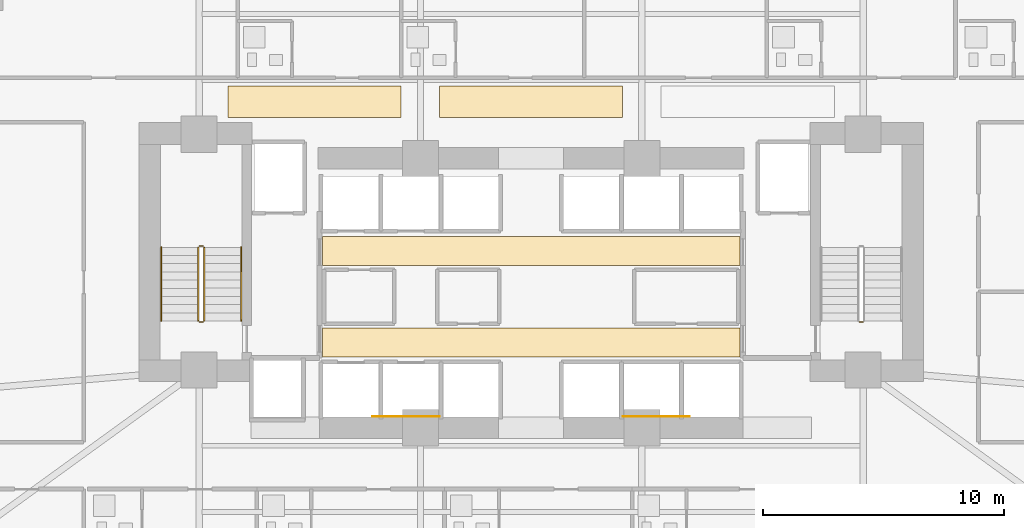
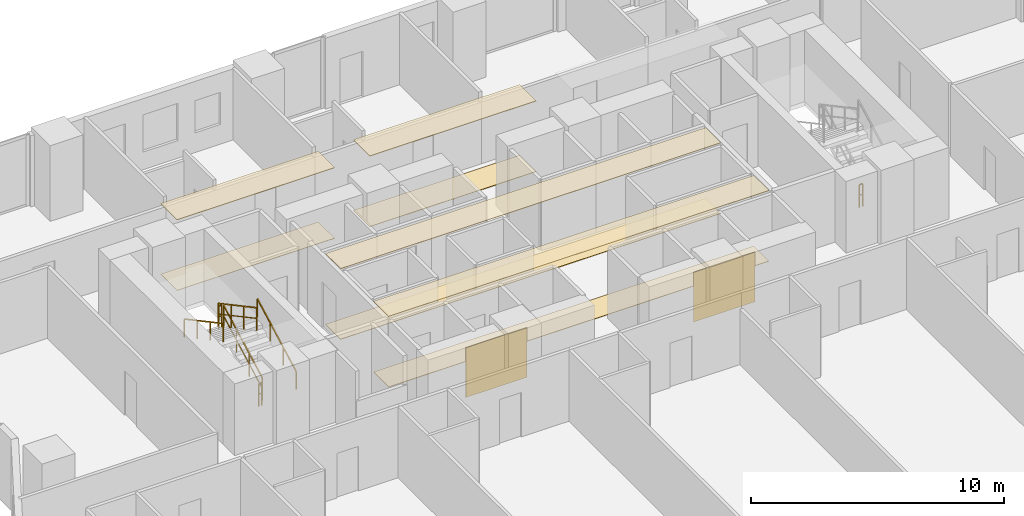
# One storey, part 25 of 28: 10 coverings, 7 railings.
"""IFC4 building model written with IfcOpenShell, lengths in metres."""

import ifcopenshell
import ifcopenshell.guid

model = None  # the IFC model being written
_history = None  # IfcOwnerHistory: only IFC2X3 demands one
_inside = {}  # id of a spatial element -> (the spatial element, [elements in it])
_under = {}  # id of a project, library or spatial element -> (it, [spatial elements below it])
_declared = {}  # id of a project -> (the project, [libraries it declares])
_typed = {}  # id of a type object -> (the type object, [elements of that type])
_made_of = {}  # id of a material, layer set ... -> (it, [elements and type objects made of it])


def new_model(schema):
    """Start an empty IFC model of exactly this schema.

    Asked for "IFC4X3", IfcOpenShell would pick the latest addendum, in which some entities
    have other attributes; the version numbers below select the first issue.
    IFC2X3 requires an IfcOwnerHistory on every rooted entity: one is made here for all.
    """
    global model, _history
    if schema == "IFC4X3":
        model = ifcopenshell.file(schema_version=(4, 3, 0, 0))
    else:
        model = ifcopenshell.file(schema=schema)
    _inside.clear()
    _under.clear()
    _declared.clear()
    _typed.clear()
    _made_of.clear()
    _history = None
    if model.schema == "IFC2X3":
        org = make("IfcOrganization", Name="unknown")
        user = make(
            "IfcPersonAndOrganization",
            ThePerson=make("IfcPerson", FamilyName="unknown"),
            TheOrganization=org,
        )
        app = make(
            "IfcApplication",
            ApplicationDeveloper=org,
            Version="unknown",
            ApplicationFullName="unknown",
            ApplicationIdentifier="unknown",
        )
        _history = make(
            "IfcOwnerHistory",
            OwningUser=user,
            OwningApplication=app,
            ChangeAction="ADDED",
            CreationDate=0,
        )
    return model


def make(cls, **values):
    """One entity of the class cls with the attributes given. An attribute that is None is left unset."""
    return model.create_entity(
        cls, **{name: value for name, value in values.items() if value is not None}
    )


def rooted(cls, **values):
    """An entity with a GlobalId (a new one), such as an element, a storey or a relation."""
    return make(cls, GlobalId=ifcopenshell.guid.new(), OwnerHistory=_history, **values)


def si_unit(unit_type, name, prefix=None):
    """IfcSIUnit, for example si_unit("LENGTHUNIT", "METRE", prefix="MILLI")."""
    return make("IfcSIUnit", UnitType=unit_type, Prefix=prefix, Name=name)


def assignment(units):
    """IfcUnitAssignment: the units of a project."""
    return None if units is None else make("IfcUnitAssignment", Units=units)


def point(xyz):
    """IfcCartesianPoint."""
    return None if xyz is None else make("IfcCartesianPoint", Coordinates=xyz)


def direction(xyz):
    """IfcDirection."""
    return None if xyz is None else make("IfcDirection", DirectionRatios=xyz)


def frame(location, z_axis=None, x_axis=None):
    """IfcAxis2Placement3D, a coordinate frame: its origin and axes. An axis left out is left unset."""
    return make(
        "IfcAxis2Placement3D",
        Location=point(location),
        Axis=direction(z_axis),
        RefDirection=direction(x_axis),
    )


def frame_2d(location, x_axis=None):
    """IfcAxis2Placement2D, a coordinate frame in the plane: its origin and x axis."""
    return make(
        "IfcAxis2Placement2D", Location=point(location), RefDirection=direction(x_axis)
    )


def origin():
    """The frame at (0, 0, 0) with its axes left unset."""
    return frame((0.0, 0.0, 0.0))


def origin_2d():
    """The frame at (0, 0) in the plane with its x axis left unset."""
    return frame_2d((0.0, 0.0))


def place(relative_to, where):
    """IfcLocalPlacement: puts the frame where relative to a parent placement (None: the world)."""
    return make(
        "IfcLocalPlacement", PlacementRelTo=relative_to, RelativePlacement=where
    )


def context(
    kind, dimensions, precision=None, world=None, true_north=None, identifier=None
):
    """IfcGeometricRepresentationContext, for example the 3D "Model" context."""
    return make(
        "IfcGeometricRepresentationContext",
        ContextIdentifier=identifier,
        ContextType=kind,
        CoordinateSpaceDimension=dimensions,
        Precision=precision,
        WorldCoordinateSystem=world,
        TrueNorth=true_north,
    )


def subcontext(parent, identifier, kind, view, scale=None):
    """IfcGeometricRepresentationSubContext, for example "Body" below "Model"."""
    return make(
        "IfcGeometricRepresentationSubContext",
        ContextIdentifier=identifier,
        ContextType=kind,
        ParentContext=parent,
        TargetScale=scale,
        TargetView=view,
    )


def project(units=None, contexts=None):
    """IfcProject with its units and contexts."""
    return rooted(
        "IfcProject",
        Name="project",
        RepresentationContexts=contexts,
        UnitsInContext=assignment(units),
    )


def spatial(cls, under=None, at=None, **own):
    """A site, building, storey or space (cls), placed at a placement, below another one or the project."""
    s = rooted(cls, ObjectPlacement=at, **own)
    if under is not None:
        _under.setdefault(under.id(), (under, []))[1].append(s)
    return s


def polyline(points):
    """IfcPolyline through the points."""
    return make("IfcPolyline", Points=[point(p) for p in points])


def profile(cls, at=None, kind="AREA", **sizes):
    """A parametric profile (cls). Its sizes go by their IFC names, for example OverallWidth=200.0."""
    return make(cls, ProfileType=kind, Position=at, **sizes)


def rectangle(**sizes):
    """IfcRectangleProfileDef."""
    return profile("IfcRectangleProfileDef", **sizes)


def outline(outer, holes=None, kind="AREA"):
    """IfcArbitraryClosedProfileDef: a profile drawn as a closed curve; with holes, ...WithVoids."""
    if holes is None:
        return make("IfcArbitraryClosedProfileDef", ProfileType=kind, OuterCurve=outer)
    return make(
        "IfcArbitraryProfileDefWithVoids",
        ProfileType=kind,
        OuterCurve=outer,
        InnerCurves=holes,
    )


def extrude(swept, where, along, depth):
    """IfcExtrudedAreaSolid: the profile swept, set in the frame where, extruded along a direction by depth."""
    return make(
        "IfcExtrudedAreaSolid",
        SweptArea=swept,
        Position=where,
        ExtrudedDirection=direction(along),
        Depth=depth,
    )


def shape(context_of_items, identifier, shape_type, items):
    """IfcShapeRepresentation: the items that make up one representation, for example the "Body"."""
    return make(
        "IfcShapeRepresentation",
        ContextOfItems=context_of_items,
        RepresentationIdentifier=identifier,
        RepresentationType=shape_type,
        Items=items,
    )


def material(Name=None, Category=None):
    """IfcMaterial."""
    return make("IfcMaterial", Name=Name, Category=Category)


def layer(
    of_material, thickness, ventilated=None, Name=None, Category=None, Priority=None
):
    """IfcMaterialLayer: one layer of a wall or slab, of a material (None: an air gap)."""
    return make(
        "IfcMaterialLayer",
        Material=of_material,
        LayerThickness=thickness,
        IsVentilated=ventilated,
        Name=Name,
        Category=Category,
        Priority=Priority,
    )


def layer_set(layers, Name=None):
    """IfcMaterialLayerSet."""
    return make("IfcMaterialLayerSet", MaterialLayers=layers, LayerSetName=Name)


def made_of(thing, what):
    """Note that an element or type object is made of a material, layer set ...; save() writes the relation."""
    if what is not None:
        _made_of.setdefault(what.id(), (what, []))[1].append(thing)
    return thing


def type_object(cls, material=None, **own):
    """A type object (cls), such as IfcWallType, which elements share."""
    return made_of(rooted(cls, **own), material)


def element(
    cls,
    number,
    at=None,
    inside=None,
    cuts=None,
    type_object=None,
    material=None,
    context=None,
    identifier="Body",
    shape_type=None,
    held_by="IfcProductDefinitionShape",
    body=None,
    shapes=None,
    **own,
):
    """One element of the class cls, such as IfcWall. Its Tag is "e" and its number.

    at: its placement. inside: the storey or other place that contains it. cuts: it is an
    opening in that element (IfcRelVoidsElement). A single representation is given by context,
    identifier, shape_type and body (its items); several are given by shapes. held_by: the class
    of the entity that holds the representations. save() writes the other relations.
    """
    e = rooted(cls, Tag="e%d" % number, ObjectPlacement=at, **own)
    if body is not None:
        shapes = [shape(context, identifier, shape_type, body)]
    if shapes is not None:
        e.Representation = make(held_by, Representations=shapes)
    if inside is not None:
        _inside.setdefault(inside.id(), (inside, []))[1].append(e)
    if cuts is not None:
        rooted(
            "IfcRelVoidsElement", RelatingBuildingElement=cuts, RelatedOpeningElement=e
        )
    if type_object is not None:
        _typed.setdefault(type_object.id(), (type_object, []))[1].append(e)
    return made_of(e, material)


def aggregate(whole, parts):
    """IfcRelAggregates: a whole, such as a stair, and the parts it consists of."""
    return rooted("IfcRelAggregates", RelatingObject=whole, RelatedObjects=parts)


def save(model, path):
    """Write the relations noted so far, then the file.

    IfcRelAggregates (storeys below a building ...), IfcRelContainedInSpatialStructure (elements
    in a storey), IfcRelDefinesByType, IfcRelAssociatesMaterial and IfcRelDeclares: one each for
    every whole, place, type object, material and project.
    """
    for whole, parts in _under.values():
        aggregate(whole, parts)
    for where, things in _inside.values():
        rooted(
            "IfcRelContainedInSpatialStructure",
            RelatedElements=things,
            RelatingStructure=where,
        )
    for kind, things in _typed.values():
        rooted("IfcRelDefinesByType", RelatedObjects=things, RelatingType=kind)
    for what, things in _made_of.values():
        rooted("IfcRelAssociatesMaterial", RelatedObjects=things, RelatingMaterial=what)
    for by, libraries in _declared.values():
        rooted("IfcRelDeclares", RelatingContext=by, RelatedDefinitions=libraries)
    model.write(path)


model = new_model("IFC4")

# Units and contexts
model_context = context("Model", 3, precision=1e-05, world=origin(), true_north=direction((0.0, 1.0)))
body_context = subcontext(model_context, "Body", "Model", "MODEL_VIEW")
ifc_project = project(units=[si_unit("LENGTHUNIT", "METRE"), si_unit("AREAUNIT", "SQUARE_METRE"), si_unit("VOLUMEUNIT", "CUBIC_METRE"), si_unit("PLANEANGLEUNIT", "RADIAN"), si_unit("MASSUNIT", "GRAM", prefix="KILO")], contexts=[model_context])

# Site, building, storey
site_placement = place(None, origin())
site = spatial("IfcSite", under=ifc_project, at=site_placement, CompositionType="ELEMENT")
building_placement = place(site_placement, origin())
building = spatial("IfcBuilding", under=site, at=building_placement, Name="Zuhayl Quay Hotel", CompositionType="ELEMENT")
storey_placement = place(building_placement, frame((0.0, 0.0, 56.800048828125)))
storey = spatial("IfcBuildingStorey", under=building, at=storey_placement, Name="L13", CompositionType="ELEMENT", Elevation=56.800048828125)

# Coverings
ifc_material_1 = material(Name="Acoustic Mineral-Fibre Gypsum Board")
ifc_layer_1 = layer(ifc_material_1, 0.02490234375, Name="Acoustic Mineral-Fibre Gypsum Board")
ifc_layer_set_1 = layer_set([ifc_layer_1], Name="Acoustic Mineral-Fibre Gypsum Board")
covering_type_1 = type_object("IfcCoveringType", Name="CV_CEIL_ACOUSTIC", PredefinedType="CEILING", material=ifc_layer_set_1)
covering_1_placement = place(storey_placement, frame((0.0, 0.0, 3.405029296875)))
element("IfcCovering", 1, at=covering_1_placement, inside=storey, type_object=covering_type_1, Name="L13 Suspended Acoustic Lobby Ceiling S", PredefinedType="CEILING", context=body_context, shape_type="SweptSolid", body=[
    extrude(outline(polyline([(-8.679931640625, 5.10009765625), (8.679931640625, 5.10009765625), (8.679931640625, 6.300048828125), (-8.679931640625, 6.300048828125), (-8.679931640625, 5.10009765625)])), origin(), (0.0, 0.0, 1.0), 0.02490234375),
])
covering_2_placement = place(storey_placement, frame((0.0, 0.0, 3.405029296875)))
element("IfcCovering", 2, at=covering_2_placement, inside=storey, type_object=covering_type_1, Name="L13 Suspended Acoustic Lobby Ceiling N", PredefinedType="CEILING", context=body_context, shape_type="SweptSolid", body=[
    extrude(outline(polyline([(-8.679931640625, 8.89990234375), (8.679931640625, 8.89990234375), (8.679931640625, 10.10009765625), (-8.679931640625, 10.10009765625), (-8.679931640625, 8.89990234375)])), origin(), (0.0, 0.0, 1.0), 0.02490234375),
])
covering_3_placement = place(storey_placement, frame((0.0, 0.0, 3.405029296875)))
element("IfcCovering", 3, at=covering_3_placement, inside=storey, type_object=covering_type_1, Name="L13 Guest Corridor Acoustic Ceiling CW", PredefinedType="CEILING", context=body_context, shape_type="SweptSolid", body=[
    extrude(outline(polyline([(-12.60009765625, 15.050048828125), (-5.39990234375, 15.050048828125), (-5.39990234375, 16.35009765625), (-12.60009765625, 16.35009765625), (-12.60009765625, 15.050048828125)])), origin(), (0.0, 0.0, 1.0), 0.02490234375),
])
covering_4_placement = place(storey_placement, frame((0.0, 0.0, 3.405029296875)))
element("IfcCovering", 4, at=covering_4_placement, inside=storey, type_object=covering_type_1, Name="L13 Guest Corridor Acoustic Ceiling CC", PredefinedType="CEILING", context=body_context, shape_type="SweptSolid", body=[
    extrude(outline(polyline([(-3.800048828125, 15.050048828125), (3.800048828125, 15.050048828125), (3.800048828125, 16.35009765625), (-3.800048828125, 16.35009765625), (-3.800048828125, 15.050048828125)])), origin(), (0.0, 0.0, 1.0), 0.02490234375),
])
ifc_material_2 = material(Name="Polished Limestone Terrazzo", Category="masonry")
ifc_layer_2 = layer(ifc_material_2, 0.02001953125, Name="Polished Limestone Terrazzo", Category="masonry")
ifc_layer_set_2 = layer_set([ifc_layer_2], Name="Polished Limestone Terrazzo")
covering_type_2 = type_object("IfcCoveringType", Name="CV_FLOOR_TERRAZZO", PredefinedType="FLOORING", material=ifc_layer_set_2)
covering_5_placement = place(storey_placement, origin())
element("IfcCovering", 5, at=covering_5_placement, inside=storey, type_object=covering_type_2, Name="L13 Honed Limestone Terrazzo Lobby Flooring S", PredefinedType="FLOORING", context=body_context, shape_type="SweptSolid", body=[
    extrude(outline(polyline([(-8.679931640625, 5.10009765625), (8.679931640625, 5.10009765625), (8.679931640625, 6.300048828125), (-8.679931640625, 6.300048828125), (-8.679931640625, 5.10009765625)])), origin(), (0.0, 0.0, 1.0), 0.02001953125),
])
covering_6_placement = place(storey_placement, origin())
element("IfcCovering", 6, at=covering_6_placement, inside=storey, type_object=covering_type_2, Name="L13 Honed Limestone Terrazzo Lobby Flooring N", PredefinedType="FLOORING", context=body_context, shape_type="SweptSolid", body=[
    extrude(outline(polyline([(-8.679931640625, 8.89990234375), (8.679931640625, 8.89990234375), (8.679931640625, 10.10009765625), (-8.679931640625, 10.10009765625), (-8.679931640625, 8.89990234375)])), origin(), (0.0, 0.0, 1.0), 0.02001953125),
])
covering_7_placement = place(storey_placement, origin())
element("IfcCovering", 7, at=covering_7_placement, inside=storey, type_object=covering_type_2, Name="L13 Guest Corridor Terrazzo Runner CW", PredefinedType="FLOORING", context=body_context, shape_type="SweptSolid", body=[
    extrude(outline(polyline([(-12.60009765625, 15.050048828125), (-5.39990234375, 15.050048828125), (-5.39990234375, 16.35009765625), (-12.60009765625, 16.35009765625), (-12.60009765625, 15.050048828125)])), origin(), (0.0, 0.0, 1.0), 0.02001953125),
])
covering_8_placement = place(storey_placement, origin())
element("IfcCovering", 8, at=covering_8_placement, inside=storey, type_object=covering_type_2, Name="L13 Guest Corridor Terrazzo Runner CC", PredefinedType="FLOORING", context=body_context, shape_type="SweptSolid", body=[
    extrude(outline(polyline([(-3.800048828125, 15.050048828125), (3.800048828125, 15.050048828125), (3.800048828125, 16.35009765625), (-3.800048828125, 16.35009765625), (-3.800048828125, 15.050048828125)])), origin(), (0.0, 0.0, 1.0), 0.02001953125),
])
ifc_material_3 = material(Name="Acoustic Walnut Feature Timber", Category="wood")
ifc_layer_3 = layer(ifc_material_3, 0.02197265625, Name="Acoustic Walnut Feature Timber", Category="wood")
ifc_layer_set_3 = layer_set([ifc_layer_3], Name="Acoustic Walnut Feature Timber")
covering_type_3 = type_object("IfcCoveringType", Name="CV_WALL_CLAD", PredefinedType="CLADDING", material=ifc_layer_set_3)
for number, where, z_axis, x_axis, name in (
    (9, (-5.199951171875, 2.611083984375, 0.300048828125), (0.0, 0.0, 1.0), (1.0, 0.0, 0.0), "L13 Feature Lobby Walnut Wall Cladding W"),
    (10, (5.199951171875, 2.611083984375, 0.300048828125), (0.0, 0.0, 1.0), (1.0, 0.0, 0.0), "L13 Feature Lobby Walnut Wall Cladding E"),
):
    element("IfcCovering", number, at=place(storey_placement, frame(where, z_axis=z_axis, x_axis=x_axis)), inside=storey, type_object=covering_type_3, Name=name, PredefinedType="CLADDING", context=body_context, shape_type="SweptSolid", body=[
        extrude(rectangle(XDim=2.800048828125, YDim=0.02197265625, at=origin_2d()), origin(), (0.0, 0.0, 1.0), 2.39990234375),
    ])

# Railings
ifc_material_4 = material(Name="Steel ASTM A992 Grade 50", Category="steel")
railing_type_1 = type_object("IfcRailingType", Name="RL_GUARD_1100", PredefinedType="GUARDRAIL", material=ifc_material_4)
railing_1_placement = place(storey_placement, frame((-13.590087890625, 6.590087890625, 0.182373046875)))
element("IfcRailing", 11, at=railing_1_placement, inside=storey, type_object=railing_type_1, Name="L13 ST1 stair guard 1", PredefinedType="GUARDRAIL", context=body_context, shape_type="SweptSolid", body=[
    extrude(rectangle(XDim=0.048095703125, YDim=0.048095703125, at=origin_2d()), frame((0.0, 0.0, 1.09619140625), z_axis=(0.0, 0.88107310026, 0.472980117973), x_axis=(-1.0, 0.0, 0.0)), (0.0, 0.0, 1.0), 3.472900390625),
    extrude(rectangle(XDim=0.0361328125, YDim=0.0361328125, at=origin_2d()), frame((0.0, 0.0, 0.58251953125), z_axis=(0.0, 0.88107310026, 0.472980117973), x_axis=(-1.0, 0.0, 0.0)), (0.0, 0.0, 1.0), 3.472900390625),
    extrude(rectangle(XDim=0.0419921875, YDim=0.0419921875, at=origin_2d()), origin(), (0.0, 0.0, 1.0), 1.072021484375),
    extrude(rectangle(XDim=0.0419921875, YDim=0.0419921875, at=origin_2d()), frame((0.0, 1.02001953125, 0.547607421875)), (0.0, 0.0, 1.0), 1.072021484375),
    extrude(rectangle(XDim=0.0419921875, YDim=0.0419921875, at=origin_2d()), frame((0.0, 2.039794921875, 1.094970703125)), (0.0, 0.0, 1.0), 1.072021484375),
    extrude(rectangle(XDim=0.0419921875, YDim=0.0419921875, at=origin_2d()), frame((0.0, 3.059814453125, 1.642578125)), (0.0, 0.0, 1.0), 1.072021484375),
])
railing_2_placement = place(storey_placement, frame((-13.639892578125, 9.699951171875, 1.824951171875)))
element("IfcRailing", 12, at=railing_2_placement, inside=storey, type_object=railing_type_1, Name="L13 ST1 stair guard 2", PredefinedType="GUARDRAIL", context=body_context, shape_type="SweptSolid", body=[
    extrude(rectangle(XDim=0.048095703125, YDim=0.048095703125, at=origin_2d()), frame((0.0, 0.0, 1.09619140625), z_axis=(-1.0, 0.0, 0.0), x_axis=(0.0, -1.0, 0.0)), (0.0, 0.0, 1.0), 0.150146484375),
    extrude(rectangle(XDim=0.0361328125, YDim=0.0361328125, at=origin_2d()), frame((0.0, 0.0, 0.58251953125), z_axis=(-1.0, 0.0, 0.0), x_axis=(0.0, -1.0, 0.0)), (0.0, 0.0, 1.0), 0.150146484375),
    extrude(rectangle(XDim=0.0419921875, YDim=0.0419921875, at=origin_2d()), origin(), (0.0, 0.0, 1.0), 1.072021484375),
    extrude(rectangle(XDim=0.0419921875, YDim=0.0419921875, at=origin_2d()), frame((-0.150146484375, 0.0, 0.0)), (0.0, 0.0, 1.0), 1.072021484375),
])
railing_3_placement = place(storey_placement, frame((-13.840087890625, 9.64990234375, 2.007568359375)))
element("IfcRailing", 13, at=railing_3_placement, inside=storey, type_object=railing_type_1, Name="L13 ST1 stair guard 3", PredefinedType="GUARDRAIL", context=body_context, shape_type="SweptSolid", body=[
    extrude(rectangle(XDim=0.048095703125, YDim=0.048095703125, at=origin_2d()), frame((0.0, 0.0, 1.09619140625), z_axis=(0.0, -0.881102395774, 0.472925541879), x_axis=(1.0, 0.0, 0.0)), (0.0, 0.0, 1.0), 3.47265625),
    extrude(rectangle(XDim=0.0361328125, YDim=0.0361328125, at=origin_2d()), frame((0.0, 0.0, 0.58251953125), z_axis=(0.0, -0.881102395774, 0.472925541879), x_axis=(1.0, 0.0, 0.0)), (0.0, 0.0, 1.0), 3.47265625),
    extrude(rectangle(XDim=0.0419921875, YDim=0.0419921875, at=origin_2d()), origin(), (0.0, 0.0, 1.0), 1.072021484375),
    extrude(rectangle(XDim=0.0419921875, YDim=0.0419921875, at=origin_2d()), frame((0.0, -1.02001953125, 0.54736328125)), (0.0, 0.0, 1.0), 1.072021484375),
    extrude(rectangle(XDim=0.0419921875, YDim=0.0419921875, at=origin_2d()), frame((0.0, -2.039794921875, 1.094970703125)), (0.0, 0.0, 1.0), 1.072021484375),
    extrude(rectangle(XDim=0.0419921875, YDim=0.0419921875, at=origin_2d()), frame((0.0, -3.059814453125, 1.642333984375)), (0.0, 0.0, 1.0), 1.072021484375),
])
for number, where, name in (
    (14, (-13.639892578125, 6.5400390625, 0.0), "L13 ST1 stair guard 4"),
    (15, (13.7900390625, 6.5400390625, 0.0), "L13 ST2 stair guard 4"),
):
    element("IfcRailing", number, at=place(storey_placement, frame(where)), inside=storey, type_object=railing_type_1, Name=name, PredefinedType="GUARDRAIL", context=body_context, shape_type="SweptSolid", body=[
        extrude(rectangle(XDim=0.048095703125, YDim=0.048095703125, at=origin_2d()), frame((0.0, 0.0, 1.09619140625), z_axis=(-1.0, 0.0, 0.0), x_axis=(0.0, -1.0, 0.0)), (0.0, 0.0, 1.0), 0.150146484375),
        extrude(rectangle(XDim=0.0361328125, YDim=0.0361328125, at=origin_2d()), frame((0.0, 0.0, 0.58251953125), z_axis=(-1.0, 0.0, 0.0), x_axis=(0.0, -1.0, 0.0)), (0.0, 0.0, 1.0), 0.150146484375),
        extrude(rectangle(XDim=0.0419921875, YDim=0.0419921875, at=origin_2d()), origin(), (0.0, 0.0, 1.0), 1.072021484375),
        extrude(rectangle(XDim=0.0419921875, YDim=0.0419921875, at=origin_2d()), frame((-0.150146484375, 0.0, 0.0)), (0.0, 0.0, 1.0), 1.072021484375),
    ])
railing_type_2 = type_object("IfcRailingType", Name="RL_HANDRAIL_920", PredefinedType="HANDRAIL", material=ifc_material_4)
railing_4_placement = place(storey_placement, frame((-12.050048828125, 6.590087890625, 0.182373046875)))
element("IfcRailing", 16, at=railing_4_placement, inside=storey, type_object=railing_type_2, Name="L13 ST1 stair handrail 1", PredefinedType="HANDRAIL", context=body_context, shape_type="SweptSolid", body=[
    extrude(rectangle(XDim=0.048095703125, YDim=0.048095703125, at=origin_2d()), frame((0.0, 0.0, 0.8759765625), z_axis=(0.0, 0.88107310026, 0.472980117973), x_axis=(-1.0, 0.0, 0.0)), (0.0, 0.0, 1.0), 3.472900390625),
    extrude(rectangle(XDim=0.0419921875, YDim=0.0419921875, at=origin_2d()), origin(), (0.0, 0.0, 1.0), 0.851806640625),
    extrude(rectangle(XDim=0.0419921875, YDim=0.0419921875, at=origin_2d()), frame((0.0, 1.02001953125, 0.547607421875)), (0.0, 0.0, 1.0), 0.851806640625),
    extrude(rectangle(XDim=0.0419921875, YDim=0.0419921875, at=origin_2d()), frame((0.0, 2.039794921875, 1.094970703125)), (0.0, 0.0, 1.0), 0.851806640625),
    extrude(rectangle(XDim=0.0419921875, YDim=0.0419921875, at=origin_2d()), frame((0.0, 3.059814453125, 1.642578125)), (0.0, 0.0, 1.0), 0.851806640625),
])
railing_5_placement = place(storey_placement, frame((-15.3798828125, 9.64990234375, 2.007568359375)))
element("IfcRailing", 17, at=railing_5_placement, inside=storey, type_object=railing_type_2, Name="L13 ST1 stair handrail 2", PredefinedType="HANDRAIL", context=body_context, shape_type="SweptSolid", body=[
    extrude(rectangle(XDim=0.048095703125, YDim=0.048095703125, at=origin_2d()), frame((0.0, 0.0, 0.8759765625), z_axis=(0.0, -0.881102395774, 0.472925541879), x_axis=(1.0, 0.0, 0.0)), (0.0, 0.0, 1.0), 3.47265625),
    extrude(rectangle(XDim=0.0419921875, YDim=0.0419921875, at=origin_2d()), origin(), (0.0, 0.0, 1.0), 0.851806640625),
    extrude(rectangle(XDim=0.0419921875, YDim=0.0419921875, at=origin_2d()), frame((0.0, -1.02001953125, 0.54736328125)), (0.0, 0.0, 1.0), 0.851806640625),
    extrude(rectangle(XDim=0.0419921875, YDim=0.0419921875, at=origin_2d()), frame((0.0, -2.039794921875, 1.094970703125)), (0.0, 0.0, 1.0), 0.851806640625),
    extrude(rectangle(XDim=0.0419921875, YDim=0.0419921875, at=origin_2d()), frame((0.0, -3.059814453125, 1.642333984375)), (0.0, 0.0, 1.0), 0.851806640625),
])

save(model, "model.ifc")
